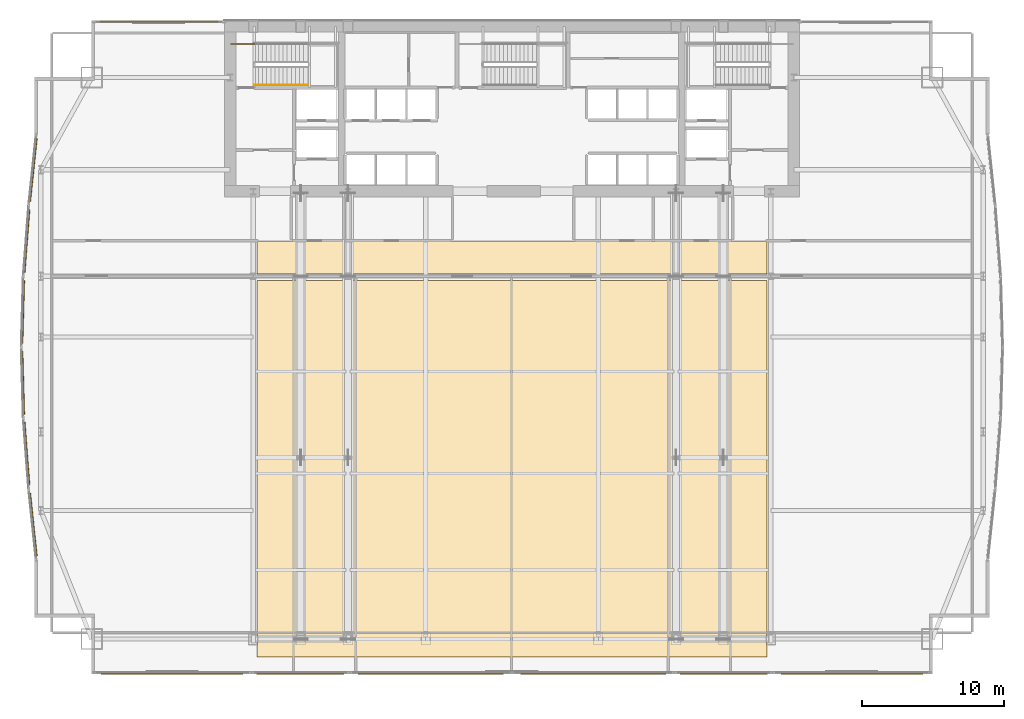
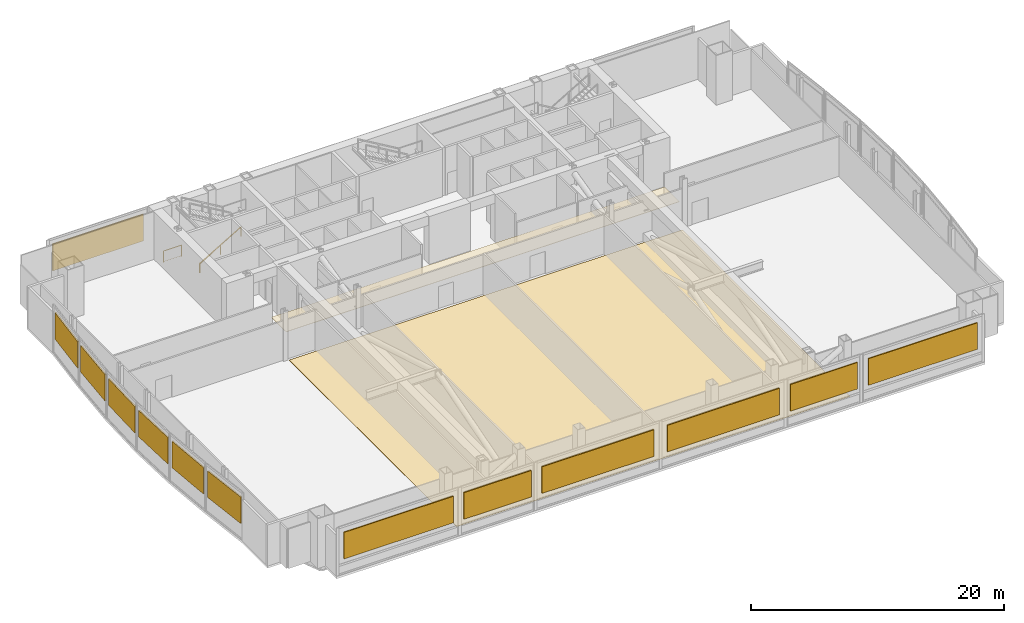
# One storey, part 30 of 32: 13 shading devices, 2 coverings, 2 railings.
"""IFC4 building model written with IfcOpenShell, lengths in metres."""

from ifc_helpers import new_model, si_unit, direction, frame, origin, origin_2d, place, context, subcontext, project, spatial, polyline, rectangle, outline, extrude, material, layer, layer_set, type_object, element, save


model = new_model("IFC4")

# Units and contexts
model_context = context("Model", 3, precision=1e-05, world=origin(), true_north=direction((0.0, 1.0)))
body_context = subcontext(model_context, "Body", "Model", "MODEL_VIEW")
ifc_project = project(units=[si_unit("LENGTHUNIT", "METRE"), si_unit("AREAUNIT", "SQUARE_METRE"), si_unit("VOLUMEUNIT", "CUBIC_METRE"), si_unit("PLANEANGLEUNIT", "RADIAN"), si_unit("MASSUNIT", "GRAM", prefix="KILO")], contexts=[model_context])

# Site, building, storey
site_placement = place(None, origin())
site = spatial("IfcSite", under=ifc_project, at=site_placement, CompositionType="ELEMENT")
building_placement = place(site_placement, origin())
building = spatial("IfcBuilding", under=site, at=building_placement, Name="Khoronbel Lancet Exchange", CompositionType="ELEMENT")
storey_placement = place(building_placement, frame((0.0, 0.0, 85.800048828125)))
storey = spatial("IfcBuildingStorey", under=building, at=storey_placement, Name="L20", CompositionType="ELEMENT", Elevation=85.800048828125)

# Coverings
ifc_material_1 = material(Name="Micro-Perforated Bronze Acoustic Metal Ceiling Tile", Category="aluminium")
ifc_layer_1 = layer(ifc_material_1, 0.0400390625, Name="Micro-Perforated Bronze Acoustic Metal Ceiling Tile")
ifc_layer_set_1 = layer_set([ifc_layer_1], Name="Micro-Perforated Bronze Acoustic Metal Ceiling Tile")
covering_type_1 = type_object("IfcCoveringType", Name="COV-CEIL1", PredefinedType="CEILING", material=ifc_layer_set_1)
covering_1_placement = place(storey_placement, frame((0.0, 0.0, 2.43994140625)))
element("IfcCovering", 1, at=covering_1_placement, inside=storey, type_object=covering_type_1, Name="Level L20 corridor acoustic metal ceiling", PredefinedType="CEILING", context=body_context, shape_type="SweptSolid", body=[
    extrude(outline(polyline([(18.5, 35.85009765625), (54.39990234375, 35.85009765625), (54.39990234375, 38.179931640625), (18.5, 38.179931640625), (18.5, 35.85009765625)])), origin(), (0.0, 0.0, 1.0), 0.0400390625),
])
ifc_material_2 = material(Name="Honed Egyptian Galala Marble & Raised Access Floor Finish", Category="masonry")
ifc_layer_2 = layer(ifc_material_2, 0.030029296875, Name="Honed Egyptian Galala Marble & Raised Access Floor Finish")
ifc_layer_set_2 = layer_set([ifc_layer_2], Name="Honed Egyptian Galala Marble & Raised Access Floor Finish")
covering_type_2 = type_object("IfcCoveringType", Name="COV-FLR1", PredefinedType="FLOORING", material=ifc_layer_set_2)
covering_2_placement = place(storey_placement, origin())
element("IfcCovering", 2, at=covering_2_placement, inside=storey, type_object=covering_type_2, Name="Level L20 anti-static raised access floor finish", PredefinedType="FLOORING", context=body_context, shape_type="SweptSolid", body=[
    extrude(outline(polyline([(18.5, 8.89990234375), (54.39990234375, 8.89990234375), (54.39990234375, 35.39990234375), (18.5, 35.39990234375), (18.5, 8.89990234375)])), origin(), (0.0, 0.0, 1.0), 0.030029296875),
])

# Railings
ifc_material_3 = material(Name="Painted Steel Balustrade", Category="steel")
railing_type_1 = type_object("IfcRailingType", Name="RL-STG110", PredefinedType="GUARDRAIL", material=ifc_material_3)
railing_1_placement = place(storey_placement, frame((16.64990234375, 52.050048828125, 0.0)))
element("IfcRailing", 3, at=railing_1_placement, inside=storey, type_object=railing_type_1, Name="L20 ST1 stair guard 6", PredefinedType="GUARDRAIL", context=body_context, shape_type="SweptSolid", body=[
    extrude(rectangle(XDim=0.048095703125, YDim=0.048095703125, at=origin_2d()), frame((0.0, 0.0, 1.09619140625), z_axis=(1.0, 0.0, 0.0), x_axis=(0.0, 1.0, 0.0)), (0.0, 0.0, 1.0), 1.650146484375),
    extrude(rectangle(XDim=0.02392578125, YDim=0.02392578125, at=origin_2d()), frame((0.0, 0.0, 0.080078125), z_axis=(1.0, 0.0, 0.0), x_axis=(0.0, 1.0, 0.0)), (0.0, 0.0, 1.0), 1.650146484375),
    extrude(rectangle(XDim=0.0419921875, YDim=0.0419921875, at=origin_2d()), origin(), (0.0, 0.0, 1.0), 1.072021484375),
    extrude(rectangle(XDim=0.0419921875, YDim=0.0419921875, at=origin_2d()), frame((1.650146484375, 0.0, 0.0)), (0.0, 0.0, 1.0), 1.072021484375),
])
ifc_material_4 = material(Name="Brushed Stainless Steel 316", Category="steel")
railing_type_2 = type_object("IfcRailingType", Name="RL-STH92", PredefinedType="HANDRAIL", material=ifc_material_4)
railing_2_placement = place(storey_placement, frame((18.300048828125, 49.169921875, 0.17138671875)))
element("IfcRailing", 4, at=railing_2_placement, inside=storey, type_object=railing_type_2, Name="L20 ST1 stair handrail 1", PredefinedType="HANDRAIL", context=body_context, shape_type="SweptSolid", body=[
    extrude(rectangle(XDim=0.048095703125, YDim=0.048095703125, at=origin_2d()), frame((0.0, 0.0, 0.8759765625), z_axis=(0.860848830602, 0.0, 0.508860777473), x_axis=(0.0, 1.0, 0.0)), (0.0, 0.0, 1.0), 4.37939453125),
    extrude(rectangle(XDim=0.0419921875, YDim=0.0419921875, at=origin_2d()), origin(), (0.0, 0.0, 1.0), 0.851806640625),
    extrude(rectangle(XDim=0.0419921875, YDim=0.0419921875, at=origin_2d()), frame((1.885009765625, 0.0, 1.1142578125)), (0.0, 0.0, 1.0), 0.851806640625),
    extrude(rectangle(XDim=0.0419921875, YDim=0.0419921875, at=origin_2d()), frame((3.77001953125, 0.0, 2.228515625)), (0.0, 0.0, 1.0), 0.851806640625),
])

# Shading devices
ifc_material_5 = material(Name="Bronze-Anodised Aluminium 6063-T6", Category="aluminium")
ifc_layer_3 = layer(ifc_material_5, 0.1201171875, Name="Bronze-Anodised Aluminium 6063-T6")
ifc_layer_set_3 = layer_set([ifc_layer_3], Name="Bronze-Anodised Aluminium 6063-T6")
shading_device_type = type_object("IfcShadingDeviceType", Name="SHD-LVR1", PredefinedType="JALOUSIE", material=ifc_layer_set_3)
shading_device_1_placement = place(storey_placement, frame((2.717041015625, 18.210693359375, 1.46826171875), z_axis=(0.0, 0.0, 1.0), x_axis=(-0.104434383958, 0.994531779003, 0.0)))
element("IfcShadingDevice", 5, at=shading_device_1_placement, inside=storey, type_object=shading_device_type, Name="Sand-trap bronze acoustic louvre CW-L20-E04-1", PredefinedType="JALOUSIE", context=body_context, shape_type="SweptSolid", body=[
    extrude(rectangle(XDim=4.44677734375, YDim=0.1201171875, at=origin_2d()), origin(), (0.0, 0.0, 1.0), 2.563232421875),
])
shading_device_2_placement = place(storey_placement, frame((2.262451171875, 23.20947265625, 1.46826171875), z_axis=(0.0, 0.0, 1.0), x_axis=(-0.076626304874, 0.997059882555, 0.0)))
element("IfcShadingDevice", 6, at=shading_device_2_placement, inside=storey, type_object=shading_device_type, Name="Sand-trap bronze acoustic louvre CW-L20-E05-1", PredefinedType="JALOUSIE", context=body_context, shape_type="SweptSolid", body=[
    extrude(rectangle(XDim=4.42919921875, YDim=0.1201171875, at=origin_2d()), origin(), (0.0, 0.0, 1.0), 2.563232421875),
])
for number, where, z_axis, x_axis, name in (
    (7, (2.000244140625, 28.20361328125, 1.46826171875), (0.0, 0.0, 1.0), (-0.028135315146, 0.999604123662, 0.0), "Sand-trap bronze acoustic louvre CW-L20-E06-1"),
    (8, (2.000244140625, 33.196533203125, 1.46826171875), (0.0, 0.0, 1.0), (0.028135315146, 0.999604123662, 0.0), "Sand-trap bronze acoustic louvre CW-L20-E07-1"),
):
    element("IfcShadingDevice", number, at=place(storey_placement, frame(where, z_axis=z_axis, x_axis=x_axis)), inside=storey, type_object=shading_device_type, Name=name, PredefinedType="JALOUSIE", context=body_context, shape_type="SweptSolid", body=[
        extrude(rectangle(XDim=4.41650390625, YDim=0.1201171875, at=origin_2d()), origin(), (0.0, 0.0, 1.0), 2.563232421875),
    ])
shading_device_3_placement = place(storey_placement, frame((2.262451171875, 38.1904296875, 1.46826171875), z_axis=(0.0, 0.0, 1.0), x_axis=(0.076626304874, 0.997059882555, 0.0)))
element("IfcShadingDevice", 9, at=shading_device_3_placement, inside=storey, type_object=shading_device_type, Name="Sand-trap bronze acoustic louvre CW-L20-E08-1", PredefinedType="JALOUSIE", context=body_context, shape_type="SweptSolid", body=[
    extrude(rectangle(XDim=4.42919921875, YDim=0.1201171875, at=origin_2d()), origin(), (0.0, 0.0, 1.0), 2.563232421875),
])
shading_device_4_placement = place(storey_placement, frame((2.717041015625, 43.189453125, 1.46826171875), z_axis=(0.0, 0.0, 1.0), x_axis=(0.104434383958, 0.994531779003, 0.0)))
element("IfcShadingDevice", 10, at=shading_device_4_placement, inside=storey, type_object=shading_device_type, Name="Sand-trap bronze acoustic louvre CW-L20-E09-1", PredefinedType="JALOUSIE", context=body_context, shape_type="SweptSolid", body=[
    extrude(rectangle(XDim=4.44677734375, YDim=0.1201171875, at=origin_2d()), origin(), (0.0, 0.0, 1.0), 2.563232421875),
])
shading_device_5_placement = place(storey_placement, frame((11.580078125, 53.64990234375, 1.46826171875), z_axis=(0.0, 0.0, 1.0), x_axis=(-1.0, 0.0, 0.0)))
element("IfcShadingDevice", 11, at=shading_device_5_placement, inside=storey, type_object=shading_device_type, Name="Sand-trap bronze acoustic louvre CW-L20-NWFLK-1", PredefinedType="JALOUSIE", context=body_context, shape_type="SweptSolid", body=[
    extrude(rectangle(XDim=8.27099609375, YDim=0.1201171875, at=origin_2d()), origin(), (0.0, 0.0, 1.0), 2.563232421875),
])
shading_device_6_placement = place(storey_placement, frame((12.52001953125, 7.75, 1.46826171875), z_axis=(0.0, 0.0, 1.0), x_axis=(1.0, 0.0, 0.0)))
element("IfcShadingDevice", 12, at=shading_device_6_placement, inside=storey, type_object=shading_device_type, Name="Sand-trap bronze acoustic louvre CW-L20-SWV-1", PredefinedType="JALOUSIE", context=body_context, shape_type="SweptSolid", body=[
    extrude(rectangle(XDim=9.962890625, YDim=0.1201171875, at=origin_2d()), origin(), (0.0, 0.0, 1.0), 2.563232421875),
])
shading_device_7_placement = place(storey_placement, frame((21.550048828125, 7.75, 1.46826171875), z_axis=(0.0, 0.0, 1.0), x_axis=(1.0, 0.0, 0.0)))
element("IfcShadingDevice", 13, at=shading_device_7_placement, inside=storey, type_object=shading_device_type, Name="Sand-trap bronze acoustic louvre CW-L20-SWB-1", PredefinedType="JALOUSIE", context=body_context, shape_type="SweptSolid", body=[
    extrude(rectangle(XDim=6.12890625, YDim=0.1201171875, at=origin_2d()), origin(), (0.0, 0.0, 1.0), 2.563232421875),
])
for number, where, z_axis, x_axis, name in (
    (14, (30.72509765625, 7.75, 1.46826171875), (0.0, 0.0, 1.0), (1.0, 0.0, 0.0), "Sand-trap bronze acoustic louvre CW-L20-SCV-1"),
    (15, (42.175048828125, 7.75, 1.46826171875), (0.0, 0.0, 1.0), (1.0, 0.0, 0.0), "Sand-trap bronze acoustic louvre CW-L20-SCV-2"),
):
    element("IfcShadingDevice", number, at=place(storey_placement, frame(where, z_axis=z_axis, x_axis=x_axis)), inside=storey, type_object=shading_device_type, Name=name, PredefinedType="JALOUSIE", context=body_context, shape_type="SweptSolid", body=[
        extrude(rectangle(XDim=10.22412109375, YDim=0.1201171875, at=origin_2d()), origin(), (0.0, 0.0, 1.0), 2.563232421875),
    ])
shading_device_8_placement = place(storey_placement, frame((51.35009765625, 7.75, 1.46826171875), z_axis=(0.0, 0.0, 1.0), x_axis=(1.0, 0.0, 0.0)))
element("IfcShadingDevice", 16, at=shading_device_8_placement, inside=storey, type_object=shading_device_type, Name="Sand-trap bronze acoustic louvre CW-L20-SEB-1", PredefinedType="JALOUSIE", context=body_context, shape_type="SweptSolid", body=[
    extrude(rectangle(XDim=6.12890625, YDim=0.1201171875, at=origin_2d()), origin(), (0.0, 0.0, 1.0), 2.563232421875),
])
shading_device_9_placement = place(storey_placement, frame((60.3798828125, 7.75, 1.46826171875), z_axis=(0.0, 0.0, 1.0), x_axis=(1.0, 0.0, 0.0)))
element("IfcShadingDevice", 17, at=shading_device_9_placement, inside=storey, type_object=shading_device_type, Name="Sand-trap bronze acoustic louvre CW-L20-SEV-1", PredefinedType="JALOUSIE", context=body_context, shape_type="SweptSolid", body=[
    extrude(rectangle(XDim=9.962890625, YDim=0.1201171875, at=origin_2d()), origin(), (0.0, 0.0, 1.0), 2.563232421875),
])

save(model, "model.ifc")
